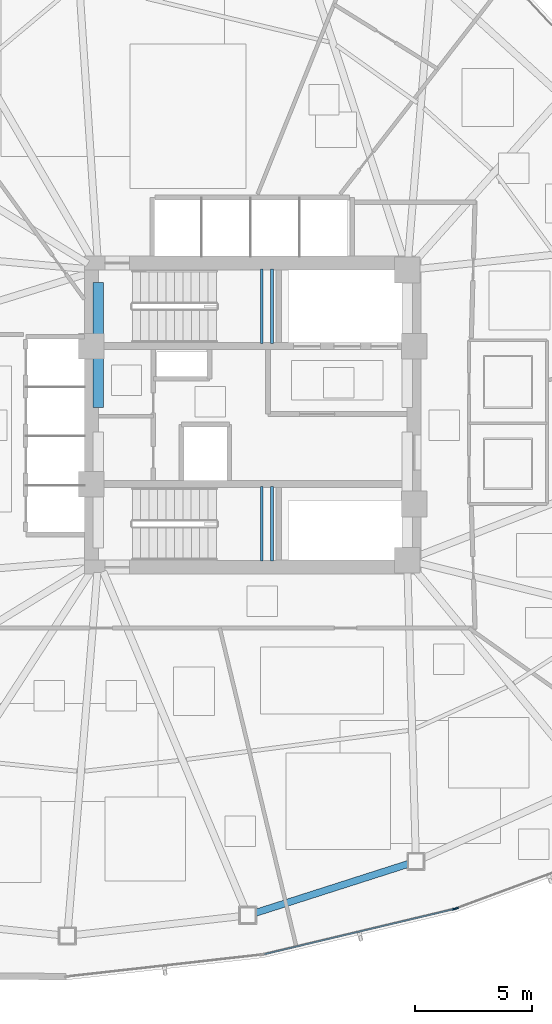
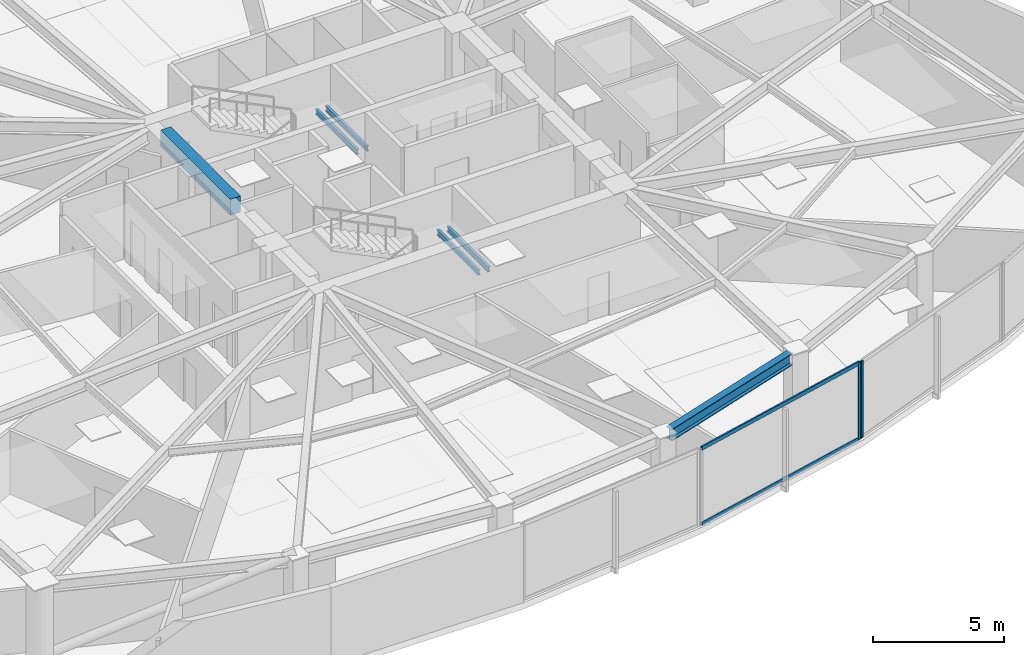
# One storey, part 5 of 17: 6 beams, 4 members, 2 elements without a shape of their own.
"""IFC4 building model written with IfcOpenShell, lengths in metres."""

from ifc_helpers import new_model, si_unit, direction, frame, origin, origin_2d, place, context, subcontext, project, spatial, rectangle, hollow_rectangle, i_section, extrude, source, transform, mapped, material, layer, layer_set, material_profile, profile_set, type_object, type_shapes, element, aggregate, save


model = new_model("IFC4")

# Units and contexts
model_context = context("Model", 3, precision=1e-05, world=origin(), true_north=direction((0.0, 1.0)))
body_context = subcontext(model_context, "Body", "Model", "MODEL_VIEW")
ifc_project = project(units=[si_unit("LENGTHUNIT", "METRE"), si_unit("AREAUNIT", "SQUARE_METRE"), si_unit("VOLUMEUNIT", "CUBIC_METRE"), si_unit("PLANEANGLEUNIT", "RADIAN"), si_unit("MASSUNIT", "GRAM", prefix="KILO")], contexts=[model_context])

# Site, building, storey
site_placement = place(None, origin())
site = spatial("IfcSite", under=ifc_project, at=site_placement, CompositionType="ELEMENT")
building_placement = place(site_placement, origin())
building = spatial("IfcBuilding", under=site, at=building_placement, Name="Tavelor Broadcast Tower", CompositionType="ELEMENT")
storey_placement = place(building_placement, frame((0.0, 0.0, 66.60009765625)))
storey = spatial("IfcBuildingStorey", under=building, at=storey_placement, Name="L15", CompositionType="ELEMENT", Elevation=66.60009765625)

# Beams
ifc_material_1 = material(Name="Concrete C40/50", Category="concrete")
ifc_material_profile_1 = material_profile(ifc_material_1, rectangle(XDim=0.449951171875, YDim=0.75, at=origin_2d()), Name="RC 450x750")
ifc_profile_set_1 = profile_set([ifc_material_profile_1], Name="Concrete C40/50")
beam_type_1 = type_object("IfcBeamType", Name="Basement Core Trim Beam 450x750", PredefinedType="BEAM", material=ifc_profile_set_1)
beam_1_placement = place(storey_placement, frame((43.39990234375, 45.327880859375, 3.224853515625), z_axis=(0.0, 1.0, 0.0), x_axis=(-1.0, 0.0, 0.0)))
element("IfcBeam", 1, at=beam_1_placement, inside=storey, type_object=beam_type_1, Name="L15 Core West-N Tie Girder", PredefinedType="BEAM", context=body_context, shape_type="SweptSolid", body=[
    extrude(rectangle(XDim=0.449951171875, YDim=0.75, at=origin_2d()), origin(), (0.0, 0.0, 1.0), 5.34423828125),
])
ifc_material_2 = material(Name="Steel S355", Category="steel")
ifc_material_profile_2 = material_profile(ifc_material_2, i_section(OverallWidth=0.300048828125, OverallDepth=0.550048828125, WebThickness=0.014892578125, FlangeThickness=0.029052734375, at=origin_2d()), Name="HEB 550")
ifc_profile_set_2 = profile_set([ifc_material_profile_2], Name="Steel S355")
beam_type_2 = type_object("IfcBeamType", Name="Perimeter Spandrel Beam T2 HEB 550", PredefinedType="SPANDREL", material=ifc_profile_set_2)
beam_2_placement = place(storey_placement, frame((50.106689453125, 23.720458984375, 3.324951171875), z_axis=(0.952297103541, 0.305172453849, 0.0), x_axis=(-0.305172453849, 0.952297103541, 0.0)))
element("IfcBeam", 2, at=beam_2_placement, inside=storey, type_object=beam_type_2, Name="L15 Framed-Tube Ring Spandrel 10", PredefinedType="SPANDREL", context=body_context, shape_type="SweptSolid", body=[
    extrude(i_section(OverallWidth=0.300048828125, OverallDepth=0.550048828125, WebThickness=0.014892578125, FlangeThickness=0.029052734375, at=origin_2d()), origin(), (0.0, 0.0, 1.0), 6.876953125),
])
ifc_material_profile_3 = material_profile(ifc_material_2, i_section(OverallWidth=0.1201171875, OverallDepth=0.239990234375, WebThickness=0.006103515625, FlangeThickness=0.009765625, at=origin_2d()), Name="IPE 240")
ifc_profile_set_3 = profile_set([ifc_material_profile_3], Name="Steel S355")
beam_type_3 = type_object("IfcBeamType", Name="Stairwell Landing Support Trimmer Beam IPE240", PredefinedType="BEAM", material=ifc_profile_set_3)
for number, where, z_axis, x_axis, name in (
    (3, (50.385009765625, 48.06005859375, 1.635009765625), (0.0, 1.0, 0.0), (-1.0, 0.0, 0.0), "L15 Stair Landing Support Beam 55"),
    (4, (50.824951171875, 48.06005859375, 1.635009765625), (0.0, 1.0, 0.0), (-1.0, 0.0, 0.0), "L15 Stair Landing Support Beam 56"),
    (5, (50.385009765625, 38.760009765625, 1.635009765625), (0.0, 1.0, 0.0), (-1.0, 0.0, 0.0), "L15 Stair Landing Support Beam 269"),
    (6, (50.824951171875, 38.760009765625, 1.635009765625), (0.0, 1.0, 0.0), (-1.0, 0.0, 0.0), "L15 Stair Landing Support Beam 270"),
):
    element("IfcBeam", number, at=place(storey_placement, frame(where, z_axis=z_axis, x_axis=x_axis)), inside=storey, type_object=beam_type_3, Name=name, PredefinedType="BEAM", context=body_context, shape_type="SweptSolid", body=[
        extrude(i_section(OverallWidth=0.1201171875, OverallDepth=0.239990234375, WebThickness=0.006103515625, FlangeThickness=0.009765625, at=origin_2d()), origin(), (0.0, 0.0, 1.0), 3.179931640625),
    ])

# Curtain wall, member
ifc_material_3 = material(Name="Architectural Anodized Aluminium", Category="aluminium")
ifc_layer = layer(ifc_material_3, 0.179931640625)
ifc_layer_set = layer_set([ifc_layer], Name="Architectural Anodized Aluminium")
curtain_wall_type = type_object("IfcCurtainWallType", Name="Tower Low-Zone Unitised Curtain Wall CW02", PredefinedType="NOTDEFINED", material=ifc_layer_set)
curtain_wall_1_placement = place(storey_placement, origin())
curtain_wall_1 = element("IfcCurtainWall", 7, at=curtain_wall_1_placement, inside=storey, type_object=curtain_wall_type, Name="L15 Curtain Wall CW02 Run 138", PredefinedType="NOTDEFINED")
ifc_material_profile_4 = material_profile(ifc_material_3, hollow_rectangle(XDim=0.06494140625, YDim=0.179931640625, WallThickness=0.02197265625, at=origin_2d()), Name="RHS 65x180x22")
ifc_profile_set_4 = profile_set([ifc_material_profile_4], Name="Architectural Anodized Aluminium")
member_type_1 = type_object("IfcMemberType", Name="CW02 Extruded Aluminium Mullion 65x180", PredefinedType="MULLION", material=ifc_profile_set_4)
shared_shape_1 = source(origin(), body_context, "Body", "SweptSolid", [
    extrude(hollow_rectangle(XDim=0.06494140625, YDim=0.179931640625, WallThickness=0.02197265625, at=origin_2d()), origin(), (0.0, 0.0, 1.0), 3.599853515625),
])
type_shapes(member_type_1, [shared_shape_1])
member_1_placement = place(storey_placement, frame((58.614013671875, 23.88916015625, 0.0), z_axis=(0.0, 0.0, 1.0), x_axis=(-0.23134005508, 0.972872951066, 0.0)))
member_1 = element("IfcMember", 8, at=member_1_placement, type_object=member_type_1, Name="CW02 mullion 2", PredefinedType="MULLION", context=body_context, shape_type="MappedRepresentation", body=[
    mapped(shared_shape_1, transform((0.0, 0.0, 0.0), scale=1.0)),
])

curtain_wall_2_placement = place(storey_placement, origin())
curtain_wall_2 = element("IfcCurtainWall", 9, at=curtain_wall_2_placement, inside=storey, type_object=curtain_wall_type, Name="L15 Curtain Wall CW02 Run 139", PredefinedType="NOTDEFINED")
member_2_placement = place(storey_placement, frame((58.704833984375, 23.91650390625, 0.0), z_axis=(0.0, 0.0, 1.0), x_axis=(-0.34736223119, 0.937731027717, 0.0)))
member_2 = element("IfcMember", 10, at=member_2_placement, type_object=member_type_1, Name="CW02 mullion 1", PredefinedType="MULLION", context=body_context, shape_type="MappedRepresentation", body=[
    mapped(shared_shape_1, transform((0.0, 0.0, 0.0), scale=1.0)),
])
aggregate(curtain_wall_2, [member_2])

# Member
ifc_material_profile_5 = material_profile(ifc_material_3, hollow_rectangle(XDim=0.06494140625, YDim=0.179931640625, WallThickness=0.02197265625, at=origin_2d()), Name="RHS 65x180x22")
ifc_profile_set_5 = profile_set([ifc_material_profile_5], Name="Architectural Anodized Aluminium")
member_type_2 = type_object("IfcMemberType", Name="CW02 Extruded Aluminium Transom 65x180", PredefinedType="USERDEFINED", material=ifc_profile_set_5)
shared_shape_2 = source(origin(), body_context, "Body", "SweptSolid", [
    extrude(hollow_rectangle(XDim=0.06494140625, YDim=0.179931640625, WallThickness=0.02197265625, at=origin_2d()), origin(), (0.0, 0.0, 1.0), 8.3056640625),
])
type_shapes(member_type_2, [shared_shape_2])
member_3_placement = place(storey_placement, frame((50.502197265625, 21.960205078125, 0.032470703125), z_axis=(0.972873982491, 0.231335717503, 0.0), x_axis=(-0.231335717503, 0.972873982491, 0.0)))
member_3 = element("IfcMember", 11, at=member_3_placement, type_object=member_type_2, Name="CW02 transom 1.1", ObjectType="TRANSOM", PredefinedType="USERDEFINED", context=body_context, shape_type="MappedRepresentation", body=[
    mapped(shared_shape_2, transform((0.0, 0.0, 0.0), scale=1.0)),
])

member_4_placement = place(storey_placement, frame((50.502197265625, 21.960205078125, 3.5673828125), z_axis=(0.972873982491, 0.231335717503, 0.0), x_axis=(-0.231335717503, 0.972873982491, 0.0)))
member_4 = element("IfcMember", 12, at=member_4_placement, type_object=member_type_2, Name="CW02 transom 1.2", ObjectType="TRANSOM", PredefinedType="USERDEFINED", context=body_context, shape_type="MappedRepresentation", body=[
    mapped(shared_shape_2, transform((0.0, 0.0, 0.0), scale=1.0)),
])

aggregate(curtain_wall_1, [member_1, member_3, member_4])

save(model, "model.ifc")
